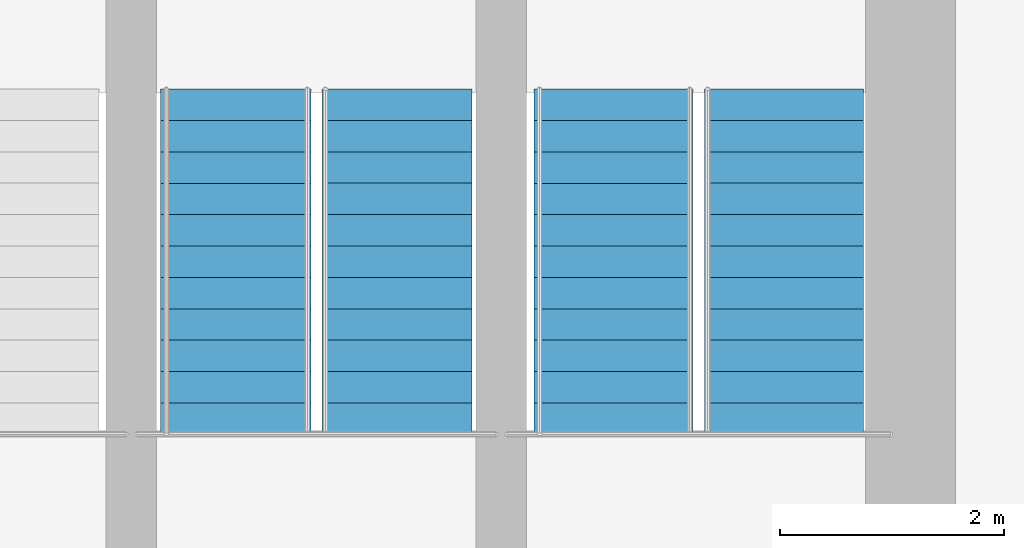
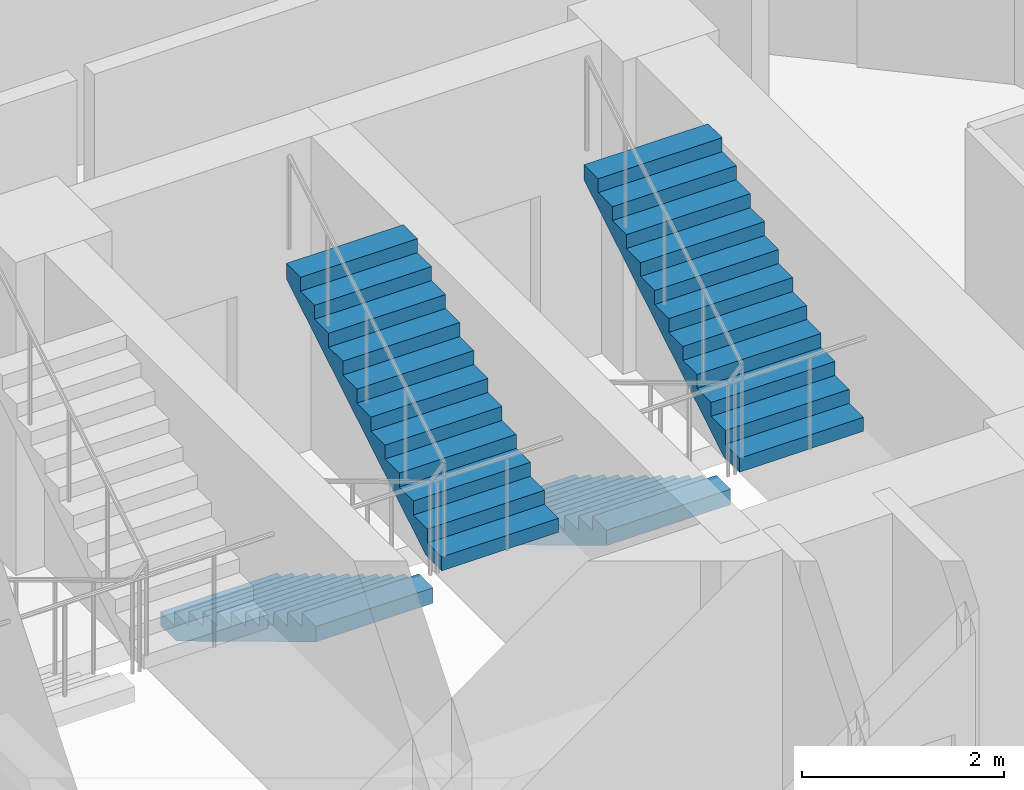
# One storey, part 24 of 25: 4 stair flights, 2 elements without a shape of their own.
"""IFC4 building model written with IfcOpenShell, lengths in metres."""

import ifcopenshell
import ifcopenshell.guid

model = None  # the IFC model being written
_history = None  # IfcOwnerHistory: only IFC2X3 demands one
_inside = {}  # id of a spatial element -> (the spatial element, [elements in it])
_under = {}  # id of a project, library or spatial element -> (it, [spatial elements below it])
_declared = {}  # id of a project -> (the project, [libraries it declares])
_typed = {}  # id of a type object -> (the type object, [elements of that type])
_made_of = {}  # id of a material, layer set ... -> (it, [elements and type objects made of it])


def new_model(schema):
    """Start an empty IFC model of exactly this schema.

    Asked for "IFC4X3", IfcOpenShell would pick the latest addendum, in which some entities
    have other attributes; the version numbers below select the first issue.
    IFC2X3 requires an IfcOwnerHistory on every rooted entity: one is made here for all.
    """
    global model, _history
    if schema == "IFC4X3":
        model = ifcopenshell.file(schema_version=(4, 3, 0, 0))
    else:
        model = ifcopenshell.file(schema=schema)
    _inside.clear()
    _under.clear()
    _declared.clear()
    _typed.clear()
    _made_of.clear()
    _history = None
    if model.schema == "IFC2X3":
        org = make("IfcOrganization", Name="unknown")
        user = make(
            "IfcPersonAndOrganization",
            ThePerson=make("IfcPerson", FamilyName="unknown"),
            TheOrganization=org,
        )
        app = make(
            "IfcApplication",
            ApplicationDeveloper=org,
            Version="unknown",
            ApplicationFullName="unknown",
            ApplicationIdentifier="unknown",
        )
        _history = make(
            "IfcOwnerHistory",
            OwningUser=user,
            OwningApplication=app,
            ChangeAction="ADDED",
            CreationDate=0,
        )
    return model


def make(cls, **values):
    """One entity of the class cls with the attributes given. An attribute that is None is left unset."""
    return model.create_entity(
        cls, **{name: value for name, value in values.items() if value is not None}
    )


def rooted(cls, **values):
    """An entity with a GlobalId (a new one), such as an element, a storey or a relation."""
    return make(cls, GlobalId=ifcopenshell.guid.new(), OwnerHistory=_history, **values)


def si_unit(unit_type, name, prefix=None):
    """IfcSIUnit, for example si_unit("LENGTHUNIT", "METRE", prefix="MILLI")."""
    return make("IfcSIUnit", UnitType=unit_type, Prefix=prefix, Name=name)


def assignment(units):
    """IfcUnitAssignment: the units of a project."""
    return None if units is None else make("IfcUnitAssignment", Units=units)


def point(xyz):
    """IfcCartesianPoint."""
    return None if xyz is None else make("IfcCartesianPoint", Coordinates=xyz)


def direction(xyz):
    """IfcDirection."""
    return None if xyz is None else make("IfcDirection", DirectionRatios=xyz)


def frame(location, z_axis=None, x_axis=None):
    """IfcAxis2Placement3D, a coordinate frame: its origin and axes. An axis left out is left unset."""
    return make(
        "IfcAxis2Placement3D",
        Location=point(location),
        Axis=direction(z_axis),
        RefDirection=direction(x_axis),
    )


def origin():
    """The frame at (0, 0, 0) with its axes left unset."""
    return frame((0.0, 0.0, 0.0))


def place(relative_to, where):
    """IfcLocalPlacement: puts the frame where relative to a parent placement (None: the world)."""
    return make(
        "IfcLocalPlacement", PlacementRelTo=relative_to, RelativePlacement=where
    )


def context(
    kind, dimensions, precision=None, world=None, true_north=None, identifier=None
):
    """IfcGeometricRepresentationContext, for example the 3D "Model" context."""
    return make(
        "IfcGeometricRepresentationContext",
        ContextIdentifier=identifier,
        ContextType=kind,
        CoordinateSpaceDimension=dimensions,
        Precision=precision,
        WorldCoordinateSystem=world,
        TrueNorth=true_north,
    )


def subcontext(parent, identifier, kind, view, scale=None):
    """IfcGeometricRepresentationSubContext, for example "Body" below "Model"."""
    return make(
        "IfcGeometricRepresentationSubContext",
        ContextIdentifier=identifier,
        ContextType=kind,
        ParentContext=parent,
        TargetScale=scale,
        TargetView=view,
    )


def project(units=None, contexts=None):
    """IfcProject with its units and contexts."""
    return rooted(
        "IfcProject",
        Name="project",
        RepresentationContexts=contexts,
        UnitsInContext=assignment(units),
    )


def spatial(cls, under=None, at=None, **own):
    """A site, building, storey or space (cls), placed at a placement, below another one or the project."""
    s = rooted(cls, ObjectPlacement=at, **own)
    if under is not None:
        _under.setdefault(under.id(), (under, []))[1].append(s)
    return s


def polyline(points):
    """IfcPolyline through the points."""
    return make("IfcPolyline", Points=[point(p) for p in points])


def outline(outer, holes=None, kind="AREA"):
    """IfcArbitraryClosedProfileDef: a profile drawn as a closed curve; with holes, ...WithVoids."""
    if holes is None:
        return make("IfcArbitraryClosedProfileDef", ProfileType=kind, OuterCurve=outer)
    return make(
        "IfcArbitraryProfileDefWithVoids",
        ProfileType=kind,
        OuterCurve=outer,
        InnerCurves=holes,
    )


def extrude(swept, where, along, depth):
    """IfcExtrudedAreaSolid: the profile swept, set in the frame where, extruded along a direction by depth."""
    return make(
        "IfcExtrudedAreaSolid",
        SweptArea=swept,
        Position=where,
        ExtrudedDirection=direction(along),
        Depth=depth,
    )


def shape(context_of_items, identifier, shape_type, items):
    """IfcShapeRepresentation: the items that make up one representation, for example the "Body"."""
    return make(
        "IfcShapeRepresentation",
        ContextOfItems=context_of_items,
        RepresentationIdentifier=identifier,
        RepresentationType=shape_type,
        Items=items,
    )


def material(Name=None, Category=None):
    """IfcMaterial."""
    return make("IfcMaterial", Name=Name, Category=Category)


def made_of(thing, what):
    """Note that an element or type object is made of a material, layer set ...; save() writes the relation."""
    if what is not None:
        _made_of.setdefault(what.id(), (what, []))[1].append(thing)
    return thing


def type_object(cls, material=None, **own):
    """A type object (cls), such as IfcWallType, which elements share."""
    return made_of(rooted(cls, **own), material)


def element(
    cls,
    number,
    at=None,
    inside=None,
    cuts=None,
    type_object=None,
    material=None,
    context=None,
    identifier="Body",
    shape_type=None,
    held_by="IfcProductDefinitionShape",
    body=None,
    shapes=None,
    **own,
):
    """One element of the class cls, such as IfcWall. Its Tag is "e" and its number.

    at: its placement. inside: the storey or other place that contains it. cuts: it is an
    opening in that element (IfcRelVoidsElement). A single representation is given by context,
    identifier, shape_type and body (its items); several are given by shapes. held_by: the class
    of the entity that holds the representations. save() writes the other relations.
    """
    e = rooted(cls, Tag="e%d" % number, ObjectPlacement=at, **own)
    if body is not None:
        shapes = [shape(context, identifier, shape_type, body)]
    if shapes is not None:
        e.Representation = make(held_by, Representations=shapes)
    if inside is not None:
        _inside.setdefault(inside.id(), (inside, []))[1].append(e)
    if cuts is not None:
        rooted(
            "IfcRelVoidsElement", RelatingBuildingElement=cuts, RelatedOpeningElement=e
        )
    if type_object is not None:
        _typed.setdefault(type_object.id(), (type_object, []))[1].append(e)
    return made_of(e, material)


def aggregate(whole, parts):
    """IfcRelAggregates: a whole, such as a stair, and the parts it consists of."""
    return rooted("IfcRelAggregates", RelatingObject=whole, RelatedObjects=parts)


def save(model, path):
    """Write the relations noted so far, then the file.

    IfcRelAggregates (storeys below a building ...), IfcRelContainedInSpatialStructure (elements
    in a storey), IfcRelDefinesByType, IfcRelAssociatesMaterial and IfcRelDeclares: one each for
    every whole, place, type object, material and project.
    """
    for whole, parts in _under.values():
        aggregate(whole, parts)
    for where, things in _inside.values():
        rooted(
            "IfcRelContainedInSpatialStructure",
            RelatedElements=things,
            RelatingStructure=where,
        )
    for kind, things in _typed.values():
        rooted("IfcRelDefinesByType", RelatedObjects=things, RelatingType=kind)
    for what, things in _made_of.values():
        rooted("IfcRelAssociatesMaterial", RelatedObjects=things, RelatingMaterial=what)
    for by, libraries in _declared.values():
        rooted("IfcRelDeclares", RelatingContext=by, RelatedDefinitions=libraries)
    model.write(path)


model = new_model("IFC4")

# Units and contexts
model_context = context("Model", 3, precision=1e-05, world=origin(), true_north=direction((0.0, 1.0)))
body_context = subcontext(model_context, "Body", "Model", "MODEL_VIEW")
ifc_project = project(units=[si_unit("LENGTHUNIT", "METRE"), si_unit("AREAUNIT", "SQUARE_METRE"), si_unit("VOLUMEUNIT", "CUBIC_METRE"), si_unit("PLANEANGLEUNIT", "RADIAN"), si_unit("MASSUNIT", "GRAM", prefix="KILO")], contexts=[model_context])

# Site, building, storey
site_placement = place(None, origin())
site = spatial("IfcSite", under=ifc_project, at=site_placement, CompositionType="ELEMENT")
building_placement = place(site_placement, origin())
building = spatial("IfcBuilding", under=site, at=building_placement, Name="Nuhasar Tower", CompositionType="ELEMENT")
storey_placement = place(building_placement, frame((0.0, 0.0, 49.35009765625)))
storey = spatial("IfcBuildingStorey", under=building, at=storey_placement, Name="L11", CompositionType="ELEMENT", Elevation=49.35009765625)

# Stair, stair flights
ifc_material = material(Name="Concrete C45/55", Category="concrete")
stair_type_1 = type_object("IfcStairType", Name="STR-ST-02-2F-24R-1688", PredefinedType="HALF_TURN_STAIR", material=ifc_material)
stair_1_placement = place(storey_placement, origin())
stair_1 = element("IfcStair", 1, at=stair_1_placement, inside=storey, type_object=stair_type_1, Name="L11 Exit Stair ST-02", PredefinedType="HALF_TURN_STAIR")
stair_flight_type_1 = type_object("IfcStairFlightType", Name="SFL-ST-02-12R-1688", PredefinedType="STRAIGHT", material=ifc_material)
stair_flight_1_placement = place(storey_placement, frame((41.64990234375, 35.284912109375, 0.0), z_axis=(0.0, 0.0, 1.0), x_axis=(0.0, -1.0, 0.0)))
stair_flight_1 = element("IfcStairFlight", 2, at=stair_flight_1_placement, type_object=stair_flight_type_1, Name="ST-02 flight 1", NumberOfRisers=12, NumberOfTreads=11, PredefinedType="STRAIGHT", RiserHeight=0.16875, TreadLength=0.28, context=body_context, shape_type="SweptSolid", body=[
    extrude(outline(polyline([(0.0, 0.0), (0.0, 0.168701171875), (0.280029296875, 0.168701171875), (0.280029296875, 0.33740234375), (0.56005859375, 0.33740234375), (0.56005859375, 0.50634765625), (0.840087890625, 0.50634765625), (0.840087890625, 0.675048828125), (1.1201171875, 0.675048828125), (1.1201171875, 0.84375), (1.39990234375, 0.84375), (1.39990234375, 1.012451171875), (1.679931640625, 1.012451171875), (1.679931640625, 1.18115234375), (1.9599609375, 1.18115234375), (1.9599609375, 1.35009765625), (2.239990234375, 1.35009765625), (2.239990234375, 1.518798828125), (2.52001953125, 1.518798828125), (2.52001953125, 1.6875), (2.800048828125, 1.6875), (2.800048828125, 1.856201171875), (3.080078125, 1.856201171875), (3.080078125, 2.02490234375), (3.080078125, 1.66943359375), (0.309814453125, 0.0), (0.0, 0.0)])), frame((0.0, 0.7099609375, 0.0), z_axis=(0.0, -1.0, 0.0), x_axis=(1.0, 0.0, 0.0)), (0.0, 0.0, 1.0), 1.419921875),
])
stair_flight_2_placement = place(storey_placement, frame((43.169921875, 32.205078125, 2.02490234375), z_axis=(0.0, 0.0, 1.0), x_axis=(0.0, 1.0, 0.0)))
stair_flight_2 = element("IfcStairFlight", 3, at=stair_flight_2_placement, type_object=stair_flight_type_1, Name="ST-02 flight 2", NumberOfRisers=12, NumberOfTreads=11, PredefinedType="STRAIGHT", RiserHeight=0.16875, TreadLength=0.28, context=body_context, shape_type="SweptSolid", body=[
    extrude(outline(polyline([(0.0, 0.0), (0.0, 0.168701171875), (0.280029296875, 0.168701171875), (0.280029296875, 0.33740234375), (0.56005859375, 0.33740234375), (0.56005859375, 0.50634765625), (0.840087890625, 0.50634765625), (0.840087890625, 0.675048828125), (1.1201171875, 0.675048828125), (1.1201171875, 0.84375), (1.39990234375, 0.84375), (1.39990234375, 1.012451171875), (1.679931640625, 1.012451171875), (1.679931640625, 1.18115234375), (1.9599609375, 1.18115234375), (1.9599609375, 1.35009765625), (2.239990234375, 1.35009765625), (2.239990234375, 1.518798828125), (2.52001953125, 1.518798828125), (2.52001953125, 1.6875), (2.800048828125, 1.6875), (2.800048828125, 1.856201171875), (3.080078125, 1.856201171875), (3.080078125, 2.02490234375), (3.080078125, 1.66943359375), (0.309814453125, 0.0), (0.0, 0.0)])), frame((0.0, 0.7099609375, 0.0), z_axis=(0.0, -1.0, 0.0), x_axis=(1.0, 0.0, 0.0)), (0.0, 0.0, 1.0), 1.419921875),
])
aggregate(stair_1, [stair_flight_1, stair_flight_2])

stair_type_2 = type_object("IfcStairType", Name="STR-ST-03-2F-24R-1688", PredefinedType="HALF_TURN_STAIR", material=ifc_material)
stair_2_placement = place(storey_placement, origin())
stair_2 = element("IfcStair", 4, at=stair_2_placement, inside=storey, type_object=stair_type_2, Name="L11 Exit Stair ST-03", PredefinedType="HALF_TURN_STAIR")
stair_flight_type_2 = type_object("IfcStairFlightType", Name="SFL-ST-03-12R-1688", PredefinedType="STRAIGHT", material=ifc_material)
stair_flight_3_placement = place(storey_placement, frame((38.280029296875, 35.284912109375, 0.0), z_axis=(0.0, 0.0, 1.0), x_axis=(0.0, -1.0, 0.0)))
stair_flight_3 = element("IfcStairFlight", 5, at=stair_flight_3_placement, type_object=stair_flight_type_2, Name="ST-03 flight 1", NumberOfRisers=12, NumberOfTreads=11, PredefinedType="STRAIGHT", RiserHeight=0.16875, TreadLength=0.28, context=body_context, shape_type="SweptSolid", body=[
    extrude(outline(polyline([(0.0, 0.0), (0.0, 0.168701171875), (0.280029296875, 0.168701171875), (0.280029296875, 0.33740234375), (0.56005859375, 0.33740234375), (0.56005859375, 0.50634765625), (0.840087890625, 0.50634765625), (0.840087890625, 0.675048828125), (1.1201171875, 0.675048828125), (1.1201171875, 0.84375), (1.39990234375, 0.84375), (1.39990234375, 1.012451171875), (1.679931640625, 1.012451171875), (1.679931640625, 1.18115234375), (1.9599609375, 1.18115234375), (1.9599609375, 1.35009765625), (2.239990234375, 1.35009765625), (2.239990234375, 1.518798828125), (2.52001953125, 1.518798828125), (2.52001953125, 1.6875), (2.800048828125, 1.6875), (2.800048828125, 1.856201171875), (3.080078125, 1.856201171875), (3.080078125, 2.02490234375), (3.080078125, 1.66943359375), (0.309814453125, 0.0), (0.0, 0.0)])), frame((0.0, 0.669921875, 0.0), z_axis=(0.0, -1.0, 0.0), x_axis=(1.0, 0.0, 0.0)), (0.0, 0.0, 1.0), 1.340087890625),
])
stair_flight_4_placement = place(storey_placement, frame((39.719970703125, 32.205078125, 2.02490234375), z_axis=(0.0, 0.0, 1.0), x_axis=(0.0, 1.0, 0.0)))
stair_flight_4 = element("IfcStairFlight", 6, at=stair_flight_4_placement, type_object=stair_flight_type_2, Name="ST-03 flight 2", NumberOfRisers=12, NumberOfTreads=11, PredefinedType="STRAIGHT", RiserHeight=0.16875, TreadLength=0.28, context=body_context, shape_type="SweptSolid", body=[
    extrude(outline(polyline([(0.0, 0.0), (0.0, 0.168701171875), (0.280029296875, 0.168701171875), (0.280029296875, 0.33740234375), (0.56005859375, 0.33740234375), (0.56005859375, 0.50634765625), (0.840087890625, 0.50634765625), (0.840087890625, 0.675048828125), (1.1201171875, 0.675048828125), (1.1201171875, 0.84375), (1.39990234375, 0.84375), (1.39990234375, 1.012451171875), (1.679931640625, 1.012451171875), (1.679931640625, 1.18115234375), (1.9599609375, 1.18115234375), (1.9599609375, 1.35009765625), (2.239990234375, 1.35009765625), (2.239990234375, 1.518798828125), (2.52001953125, 1.518798828125), (2.52001953125, 1.6875), (2.800048828125, 1.6875), (2.800048828125, 1.856201171875), (3.080078125, 1.856201171875), (3.080078125, 2.02490234375), (3.080078125, 1.66943359375), (0.309814453125, 0.0), (0.0, 0.0)])), frame((0.0, 0.669921875, 0.0), z_axis=(0.0, -1.0, 0.0), x_axis=(1.0, 0.0, 0.0)), (0.0, 0.0, 1.0), 1.340087890625),
])
aggregate(stair_2, [stair_flight_3, stair_flight_4])

save(model, "model.ifc")
